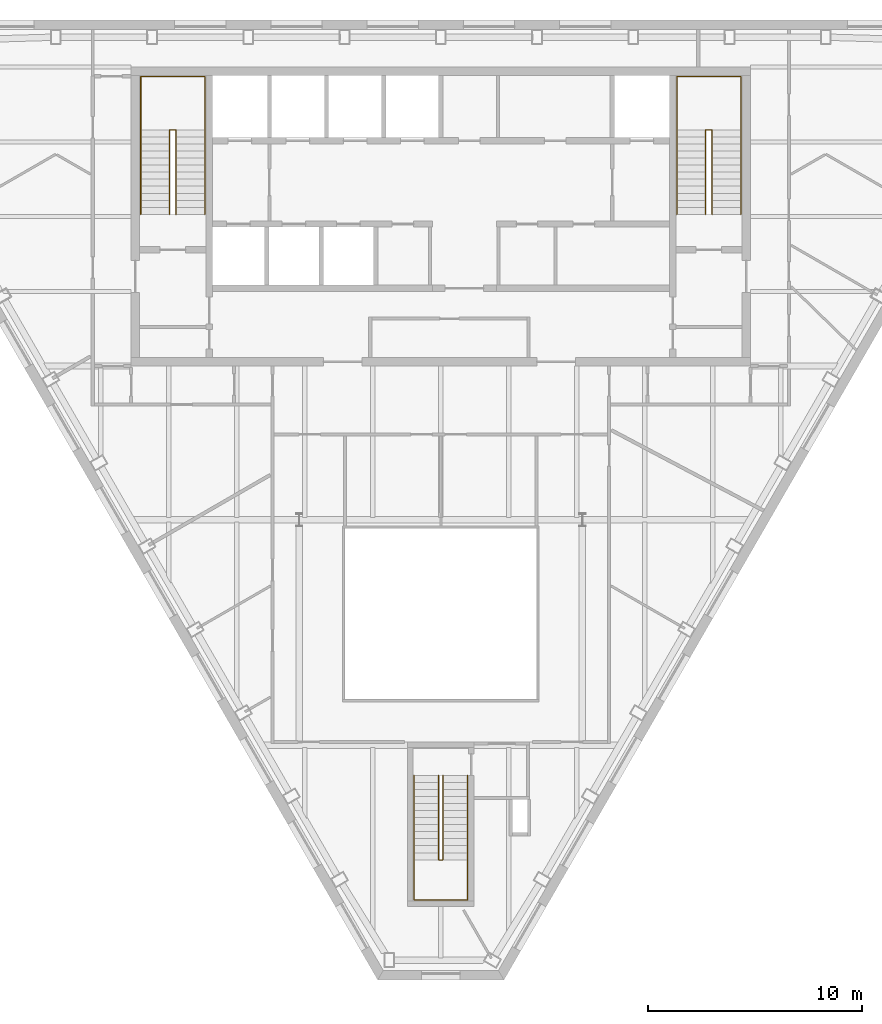
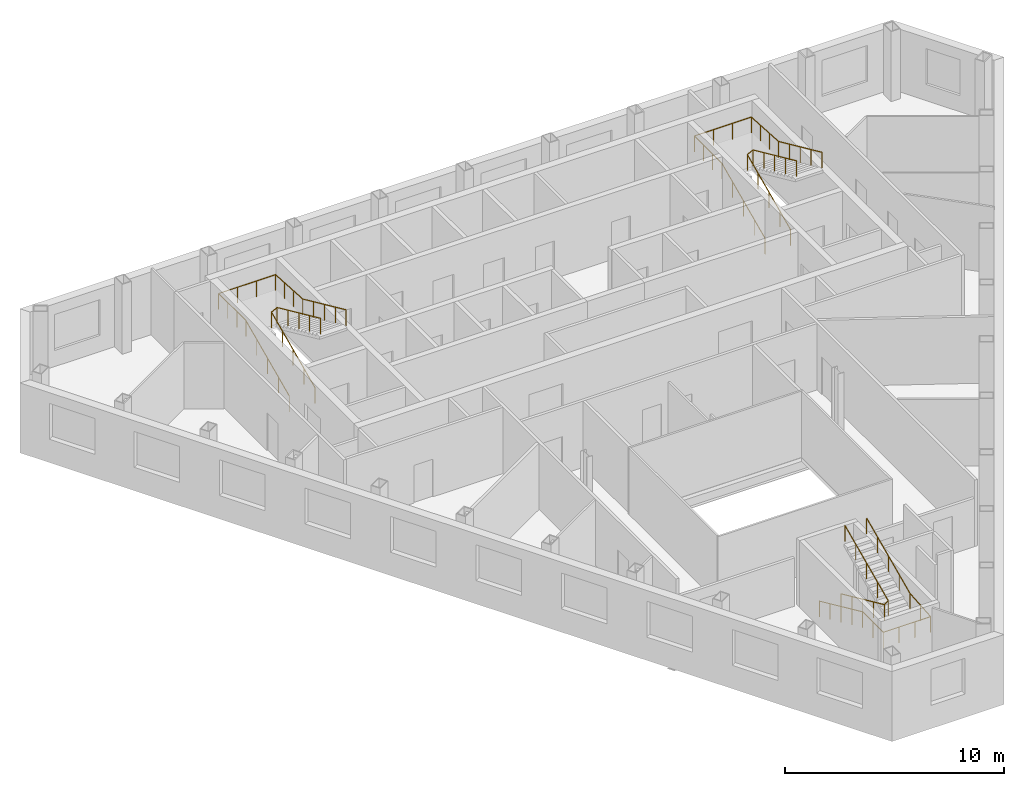
# One storey, part 10 of 10: 6 railings.
"""IFC4 building model written with IfcOpenShell, lengths in metres."""

import ifcopenshell
import ifcopenshell.guid

model = None  # the IFC model being written
_history = None  # IfcOwnerHistory: only IFC2X3 demands one
_inside = {}  # id of a spatial element -> (the spatial element, [elements in it])
_under = {}  # id of a project, library or spatial element -> (it, [spatial elements below it])
_declared = {}  # id of a project -> (the project, [libraries it declares])
_typed = {}  # id of a type object -> (the type object, [elements of that type])
_made_of = {}  # id of a material, layer set ... -> (it, [elements and type objects made of it])


def new_model(schema):
    """Start an empty IFC model of exactly this schema.

    Asked for "IFC4X3", IfcOpenShell would pick the latest addendum, in which some entities
    have other attributes; the version numbers below select the first issue.
    IFC2X3 requires an IfcOwnerHistory on every rooted entity: one is made here for all.
    """
    global model, _history
    if schema == "IFC4X3":
        model = ifcopenshell.file(schema_version=(4, 3, 0, 0))
    else:
        model = ifcopenshell.file(schema=schema)
    _inside.clear()
    _under.clear()
    _declared.clear()
    _typed.clear()
    _made_of.clear()
    _history = None
    if model.schema == "IFC2X3":
        org = make("IfcOrganization", Name="unknown")
        user = make(
            "IfcPersonAndOrganization",
            ThePerson=make("IfcPerson", FamilyName="unknown"),
            TheOrganization=org,
        )
        app = make(
            "IfcApplication",
            ApplicationDeveloper=org,
            Version="unknown",
            ApplicationFullName="unknown",
            ApplicationIdentifier="unknown",
        )
        _history = make(
            "IfcOwnerHistory",
            OwningUser=user,
            OwningApplication=app,
            ChangeAction="ADDED",
            CreationDate=0,
        )
    return model


def make(cls, **values):
    """One entity of the class cls with the attributes given. An attribute that is None is left unset."""
    return model.create_entity(
        cls, **{name: value for name, value in values.items() if value is not None}
    )


def rooted(cls, **values):
    """An entity with a GlobalId (a new one), such as an element, a storey or a relation."""
    return make(cls, GlobalId=ifcopenshell.guid.new(), OwnerHistory=_history, **values)


def si_unit(unit_type, name, prefix=None):
    """IfcSIUnit, for example si_unit("LENGTHUNIT", "METRE", prefix="MILLI")."""
    return make("IfcSIUnit", UnitType=unit_type, Prefix=prefix, Name=name)


def assignment(units):
    """IfcUnitAssignment: the units of a project."""
    return None if units is None else make("IfcUnitAssignment", Units=units)


def point(xyz):
    """IfcCartesianPoint."""
    return None if xyz is None else make("IfcCartesianPoint", Coordinates=xyz)


def direction(xyz):
    """IfcDirection."""
    return None if xyz is None else make("IfcDirection", DirectionRatios=xyz)


def frame(location, z_axis=None, x_axis=None):
    """IfcAxis2Placement3D, a coordinate frame: its origin and axes. An axis left out is left unset."""
    return make(
        "IfcAxis2Placement3D",
        Location=point(location),
        Axis=direction(z_axis),
        RefDirection=direction(x_axis),
    )


def frame_2d(location, x_axis=None):
    """IfcAxis2Placement2D, a coordinate frame in the plane: its origin and x axis."""
    return make(
        "IfcAxis2Placement2D", Location=point(location), RefDirection=direction(x_axis)
    )


def origin():
    """The frame at (0, 0, 0) with its axes left unset."""
    return frame((0.0, 0.0, 0.0))


def origin_2d():
    """The frame at (0, 0) in the plane with its x axis left unset."""
    return frame_2d((0.0, 0.0))


def place(relative_to, where):
    """IfcLocalPlacement: puts the frame where relative to a parent placement (None: the world)."""
    return make(
        "IfcLocalPlacement", PlacementRelTo=relative_to, RelativePlacement=where
    )


def context(
    kind, dimensions, precision=None, world=None, true_north=None, identifier=None
):
    """IfcGeometricRepresentationContext, for example the 3D "Model" context."""
    return make(
        "IfcGeometricRepresentationContext",
        ContextIdentifier=identifier,
        ContextType=kind,
        CoordinateSpaceDimension=dimensions,
        Precision=precision,
        WorldCoordinateSystem=world,
        TrueNorth=true_north,
    )


def subcontext(parent, identifier, kind, view, scale=None):
    """IfcGeometricRepresentationSubContext, for example "Body" below "Model"."""
    return make(
        "IfcGeometricRepresentationSubContext",
        ContextIdentifier=identifier,
        ContextType=kind,
        ParentContext=parent,
        TargetScale=scale,
        TargetView=view,
    )


def project(units=None, contexts=None):
    """IfcProject with its units and contexts."""
    return rooted(
        "IfcProject",
        Name="project",
        RepresentationContexts=contexts,
        UnitsInContext=assignment(units),
    )


def spatial(cls, under=None, at=None, **own):
    """A site, building, storey or space (cls), placed at a placement, below another one or the project."""
    s = rooted(cls, ObjectPlacement=at, **own)
    if under is not None:
        _under.setdefault(under.id(), (under, []))[1].append(s)
    return s


def profile(cls, at=None, kind="AREA", **sizes):
    """A parametric profile (cls). Its sizes go by their IFC names, for example OverallWidth=200.0."""
    return make(cls, ProfileType=kind, Position=at, **sizes)


def circle(**sizes):
    """IfcCircleProfileDef."""
    return profile("IfcCircleProfileDef", **sizes)


def extrude(swept, where, along, depth):
    """IfcExtrudedAreaSolid: the profile swept, set in the frame where, extruded along a direction by depth."""
    return make(
        "IfcExtrudedAreaSolid",
        SweptArea=swept,
        Position=where,
        ExtrudedDirection=direction(along),
        Depth=depth,
    )


def shape(context_of_items, identifier, shape_type, items):
    """IfcShapeRepresentation: the items that make up one representation, for example the "Body"."""
    return make(
        "IfcShapeRepresentation",
        ContextOfItems=context_of_items,
        RepresentationIdentifier=identifier,
        RepresentationType=shape_type,
        Items=items,
    )


def material(Name=None, Category=None):
    """IfcMaterial."""
    return make("IfcMaterial", Name=Name, Category=Category)


def made_of(thing, what):
    """Note that an element or type object is made of a material, layer set ...; save() writes the relation."""
    if what is not None:
        _made_of.setdefault(what.id(), (what, []))[1].append(thing)
    return thing


def type_object(cls, material=None, **own):
    """A type object (cls), such as IfcWallType, which elements share."""
    return made_of(rooted(cls, **own), material)


def element(
    cls,
    number,
    at=None,
    inside=None,
    cuts=None,
    type_object=None,
    material=None,
    context=None,
    identifier="Body",
    shape_type=None,
    held_by="IfcProductDefinitionShape",
    body=None,
    shapes=None,
    **own,
):
    """One element of the class cls, such as IfcWall. Its Tag is "e" and its number.

    at: its placement. inside: the storey or other place that contains it. cuts: it is an
    opening in that element (IfcRelVoidsElement). A single representation is given by context,
    identifier, shape_type and body (its items); several are given by shapes. held_by: the class
    of the entity that holds the representations. save() writes the other relations.
    """
    e = rooted(cls, Tag="e%d" % number, ObjectPlacement=at, **own)
    if body is not None:
        shapes = [shape(context, identifier, shape_type, body)]
    if shapes is not None:
        e.Representation = make(held_by, Representations=shapes)
    if inside is not None:
        _inside.setdefault(inside.id(), (inside, []))[1].append(e)
    if cuts is not None:
        rooted(
            "IfcRelVoidsElement", RelatingBuildingElement=cuts, RelatedOpeningElement=e
        )
    if type_object is not None:
        _typed.setdefault(type_object.id(), (type_object, []))[1].append(e)
    return made_of(e, material)


def aggregate(whole, parts):
    """IfcRelAggregates: a whole, such as a stair, and the parts it consists of."""
    return rooted("IfcRelAggregates", RelatingObject=whole, RelatedObjects=parts)


def save(model, path):
    """Write the relations noted so far, then the file.

    IfcRelAggregates (storeys below a building ...), IfcRelContainedInSpatialStructure (elements
    in a storey), IfcRelDefinesByType, IfcRelAssociatesMaterial and IfcRelDeclares: one each for
    every whole, place, type object, material and project.
    """
    for whole, parts in _under.values():
        aggregate(whole, parts)
    for where, things in _inside.values():
        rooted(
            "IfcRelContainedInSpatialStructure",
            RelatedElements=things,
            RelatingStructure=where,
        )
    for kind, things in _typed.values():
        rooted("IfcRelDefinesByType", RelatedObjects=things, RelatingType=kind)
    for what, things in _made_of.values():
        rooted("IfcRelAssociatesMaterial", RelatedObjects=things, RelatingMaterial=what)
    for by, libraries in _declared.values():
        rooted("IfcRelDeclares", RelatingContext=by, RelatedDefinitions=libraries)
    model.write(path)


model = new_model("IFC4")

# Units and contexts
model_context = context("Model", 3, precision=1e-05, world=origin(), true_north=direction((0.0, 1.0)))
body_context = subcontext(model_context, "Body", "Model", "MODEL_VIEW")
ifc_project = project(units=[si_unit("LENGTHUNIT", "METRE"), si_unit("AREAUNIT", "SQUARE_METRE"), si_unit("VOLUMEUNIT", "CUBIC_METRE"), si_unit("PLANEANGLEUNIT", "RADIAN"), si_unit("MASSUNIT", "GRAM", prefix="KILO")], contexts=[model_context])

# Site, building, storey
site_placement = place(None, origin())
site = spatial("IfcSite", under=ifc_project, at=site_placement, CompositionType="ELEMENT")
building_placement = place(site_placement, origin())
building = spatial("IfcBuilding", under=site, at=building_placement, Name="Njiva Tower", CompositionType="ELEMENT")
storey_placement = place(building_placement, frame((0.0, 0.0, 261.0)))
storey = spatial("IfcBuildingStorey", under=building, at=storey_placement, Name="L59", CompositionType="ELEMENT", Elevation=261.0)

# Railings
ifc_material = material(Name="Stainless steel", Category="steel")
railing_type = type_object("IfcRailingType", Name="RL1 Stair handrail 900", PredefinedType="HANDRAIL", material=ifc_material)
railing_1_placement = place(storey_placement, frame((-14.05, 11.1, 0.15)))
element("IfcRailing", 1, at=railing_1_placement, inside=storey, type_object=railing_type, Name="Stair A handrail", PredefinedType="HANDRAIL", context=body_context, shape_type="SweptSolid", body=[
    extrude(circle(Radius=0.024, at=origin_2d()), frame((0.0, 0.0, 0.876), z_axis=(0.0, 0.910366477463, 0.413802944301), x_axis=(-1.0, 0.0, 0.0)), (0.0, 0.0, 1.0), 4.3499),
    extrude(circle(Radius=0.024, at=origin_2d()), frame((0.0, 3.96, 2.676), z_axis=(0.0, 1.0, 0.0), x_axis=(-1.0, 0.0, 0.0)), (0.0, 0.0, 1.0), 2.49),
    extrude(circle(Radius=0.024, at=origin_2d()), frame((0.0, 6.45, 2.676), z_axis=(1.0, 0.0, 0.0), x_axis=(0.0, 1.0, 0.0)), (0.0, 0.0, 1.0), 3.0),
    extrude(circle(Radius=0.024, at=origin_2d()), frame((3.0, 6.45, 2.676), z_axis=(0.0, -0.998190436793, 0.060131954024), x_axis=(1.0, 0.0, 0.0)), (0.0, 0.0, 1.0), 2.4945),
    extrude(circle(Radius=0.024, at=origin_2d()), frame((3.0, 3.96, 2.826), z_axis=(0.0, -0.910366477463, 0.413802944301), x_axis=(1.0, 0.0, 0.0)), (0.0, 0.0, 1.0), 4.3499),
    extrude(circle(Radius=0.021, at=origin_2d()), origin(), (0.0, 0.0, 1.0), 0.852),
    extrude(circle(Radius=0.021, at=origin_2d()), frame((0.0, 0.99, 0.45)), (0.0, 0.0, 1.0), 0.852),
    extrude(circle(Radius=0.021, at=origin_2d()), frame((0.0, 1.98, 0.9)), (0.0, 0.0, 1.0), 0.852),
    extrude(circle(Radius=0.021, at=origin_2d()), frame((0.0, 2.97, 1.35)), (0.0, 0.0, 1.0), 0.852),
    extrude(circle(Radius=0.021, at=origin_2d()), frame((0.0, 3.96, 1.8)), (0.0, 0.0, 1.0), 0.852),
    extrude(circle(Radius=0.021, at=origin_2d()), frame((0.0, 4.79, 1.8)), (0.0, 0.0, 1.0), 0.852),
    extrude(circle(Radius=0.021, at=origin_2d()), frame((0.0, 5.62, 1.8)), (0.0, 0.0, 1.0), 0.852),
    extrude(circle(Radius=0.021, at=origin_2d()), frame((0.0, 6.45, 1.8)), (0.0, 0.0, 1.0), 0.852),
    extrude(circle(Radius=0.021, at=origin_2d()), frame((1.0, 6.45, 1.8)), (0.0, 0.0, 1.0), 0.852),
    extrude(circle(Radius=0.021, at=origin_2d()), frame((2.0, 6.45, 1.8)), (0.0, 0.0, 1.0), 0.852),
    extrude(circle(Radius=0.021, at=origin_2d()), frame((3.0, 6.45, 1.8)), (0.0, 0.0, 1.0), 0.852),
    extrude(circle(Radius=0.021, at=origin_2d()), frame((3.0, 5.62, 1.85)), (0.0, 0.0, 1.0), 0.852),
    extrude(circle(Radius=0.021, at=origin_2d()), frame((3.0, 4.79, 1.9)), (0.0, 0.0, 1.0), 0.852),
    extrude(circle(Radius=0.021, at=origin_2d()), frame((3.0, 3.96, 1.95)), (0.0, 0.0, 1.0), 0.852),
    extrude(circle(Radius=0.021, at=origin_2d()), frame((3.0, 2.97, 2.4)), (0.0, 0.0, 1.0), 0.852),
    extrude(circle(Radius=0.021, at=origin_2d()), frame((3.0, 1.98, 2.85)), (0.0, 0.0, 1.0), 0.852),
    extrude(circle(Radius=0.021, at=origin_2d()), frame((3.0, 0.99, 3.3)), (0.0, 0.0, 1.0), 0.852),
    extrude(circle(Radius=0.021, at=origin_2d()), frame((3.0, 0.0, 3.75)), (0.0, 0.0, 1.0), 0.852),
])
railing_2_placement = place(storey_placement, frame((-12.7, 11.1, 0.15)))
element("IfcRailing", 2, at=railing_2_placement, inside=storey, type_object=railing_type, Name="Stair A handrail", PredefinedType="HANDRAIL", context=body_context, shape_type="SweptSolid", body=[
    extrude(circle(Radius=0.024, at=origin_2d()), frame((0.0, 0.0, 0.876), z_axis=(0.0, 0.910366477463, 0.413802944301), x_axis=(-1.0, 0.0, 0.0)), (0.0, 0.0, 1.0), 4.3499),
    extrude(circle(Radius=0.024, at=origin_2d()), frame((0.0, 3.96, 2.676), z_axis=(0.894427191, 0.0, 0.4472135955), x_axis=(0.0, 1.0, 0.0)), (0.0, 0.0, 1.0), 0.3354),
    extrude(circle(Radius=0.024, at=origin_2d()), frame((0.3, 3.96, 2.826), z_axis=(0.0, -0.910366477463, 0.413802944301), x_axis=(1.0, 0.0, 0.0)), (0.0, 0.0, 1.0), 4.3499),
    extrude(circle(Radius=0.021, at=origin_2d()), origin(), (0.0, 0.0, 1.0), 0.852),
    extrude(circle(Radius=0.021, at=origin_2d()), frame((0.0, 0.99, 0.45)), (0.0, 0.0, 1.0), 0.852),
    extrude(circle(Radius=0.021, at=origin_2d()), frame((0.0, 1.98, 0.9)), (0.0, 0.0, 1.0), 0.852),
    extrude(circle(Radius=0.021, at=origin_2d()), frame((0.0, 2.97, 1.35)), (0.0, 0.0, 1.0), 0.852),
    extrude(circle(Radius=0.021, at=origin_2d()), frame((0.0, 3.96, 1.8)), (0.0, 0.0, 1.0), 0.852),
    extrude(circle(Radius=0.021, at=origin_2d()), frame((0.3, 3.96, 1.95)), (0.0, 0.0, 1.0), 0.852),
    extrude(circle(Radius=0.021, at=origin_2d()), frame((0.3, 2.97, 2.4)), (0.0, 0.0, 1.0), 0.852),
    extrude(circle(Radius=0.021, at=origin_2d()), frame((0.3, 1.98, 2.85)), (0.0, 0.0, 1.0), 0.852),
    extrude(circle(Radius=0.021, at=origin_2d()), frame((0.3, 0.99, 3.3)), (0.0, 0.0, 1.0), 0.852),
    extrude(circle(Radius=0.021, at=origin_2d()), frame((0.3, 0.0, 3.75)), (0.0, 0.0, 1.0), 0.852),
])
railing_3_placement = place(storey_placement, frame((11.05, 11.1, 0.15)))
element("IfcRailing", 3, at=railing_3_placement, inside=storey, type_object=railing_type, Name="Stair B handrail", PredefinedType="HANDRAIL", context=body_context, shape_type="SweptSolid", body=[
    extrude(circle(Radius=0.024, at=origin_2d()), frame((0.0, 0.0, 0.876), z_axis=(0.0, 0.910366477463, 0.413802944301), x_axis=(-1.0, 0.0, 0.0)), (0.0, 0.0, 1.0), 4.3499),
    extrude(circle(Radius=0.024, at=origin_2d()), frame((0.0, 3.96, 2.676), z_axis=(0.0, 1.0, 0.0), x_axis=(-1.0, 0.0, 0.0)), (0.0, 0.0, 1.0), 2.49),
    extrude(circle(Radius=0.024, at=origin_2d()), frame((0.0, 6.45, 2.676), z_axis=(1.0, 0.0, 0.0), x_axis=(0.0, 1.0, 0.0)), (0.0, 0.0, 1.0), 3.0),
    extrude(circle(Radius=0.024, at=origin_2d()), frame((3.0, 6.45, 2.676), z_axis=(0.0, -0.998190436793, 0.060131954024), x_axis=(1.0, 0.0, 0.0)), (0.0, 0.0, 1.0), 2.4945),
    extrude(circle(Radius=0.024, at=origin_2d()), frame((3.0, 3.96, 2.826), z_axis=(0.0, -0.910366477463, 0.413802944301), x_axis=(1.0, 0.0, 0.0)), (0.0, 0.0, 1.0), 4.3499),
    extrude(circle(Radius=0.021, at=origin_2d()), origin(), (0.0, 0.0, 1.0), 0.852),
    extrude(circle(Radius=0.021, at=origin_2d()), frame((0.0, 0.99, 0.45)), (0.0, 0.0, 1.0), 0.852),
    extrude(circle(Radius=0.021, at=origin_2d()), frame((0.0, 1.98, 0.9)), (0.0, 0.0, 1.0), 0.852),
    extrude(circle(Radius=0.021, at=origin_2d()), frame((0.0, 2.97, 1.35)), (0.0, 0.0, 1.0), 0.852),
    extrude(circle(Radius=0.021, at=origin_2d()), frame((0.0, 3.96, 1.8)), (0.0, 0.0, 1.0), 0.852),
    extrude(circle(Radius=0.021, at=origin_2d()), frame((0.0, 4.79, 1.8)), (0.0, 0.0, 1.0), 0.852),
    extrude(circle(Radius=0.021, at=origin_2d()), frame((0.0, 5.62, 1.8)), (0.0, 0.0, 1.0), 0.852),
    extrude(circle(Radius=0.021, at=origin_2d()), frame((0.0, 6.45, 1.8)), (0.0, 0.0, 1.0), 0.852),
    extrude(circle(Radius=0.021, at=origin_2d()), frame((1.0, 6.45, 1.8)), (0.0, 0.0, 1.0), 0.852),
    extrude(circle(Radius=0.021, at=origin_2d()), frame((2.0, 6.45, 1.8)), (0.0, 0.0, 1.0), 0.852),
    extrude(circle(Radius=0.021, at=origin_2d()), frame((3.0, 6.45, 1.8)), (0.0, 0.0, 1.0), 0.852),
    extrude(circle(Radius=0.021, at=origin_2d()), frame((3.0, 5.62, 1.85)), (0.0, 0.0, 1.0), 0.852),
    extrude(circle(Radius=0.021, at=origin_2d()), frame((3.0, 4.79, 1.9)), (0.0, 0.0, 1.0), 0.852),
    extrude(circle(Radius=0.021, at=origin_2d()), frame((3.0, 3.96, 1.95)), (0.0, 0.0, 1.0), 0.852),
    extrude(circle(Radius=0.021, at=origin_2d()), frame((3.0, 2.97, 2.4)), (0.0, 0.0, 1.0), 0.852),
    extrude(circle(Radius=0.021, at=origin_2d()), frame((3.0, 1.98, 2.85)), (0.0, 0.0, 1.0), 0.852),
    extrude(circle(Radius=0.021, at=origin_2d()), frame((3.0, 0.99, 3.3)), (0.0, 0.0, 1.0), 0.852),
    extrude(circle(Radius=0.021, at=origin_2d()), frame((3.0, 0.0, 3.75)), (0.0, 0.0, 1.0), 0.852),
])
railing_4_placement = place(storey_placement, frame((12.4, 11.1, 0.15)))
element("IfcRailing", 4, at=railing_4_placement, inside=storey, type_object=railing_type, Name="Stair B handrail", PredefinedType="HANDRAIL", context=body_context, shape_type="SweptSolid", body=[
    extrude(circle(Radius=0.024, at=origin_2d()), frame((0.0, 0.0, 0.876), z_axis=(0.0, 0.910366477463, 0.413802944301), x_axis=(-1.0, 0.0, 0.0)), (0.0, 0.0, 1.0), 4.3499),
    extrude(circle(Radius=0.024, at=origin_2d()), frame((0.0, 3.96, 2.676), z_axis=(0.894427191, 0.0, 0.4472135955), x_axis=(0.0, 1.0, 0.0)), (0.0, 0.0, 1.0), 0.3354),
    extrude(circle(Radius=0.024, at=origin_2d()), frame((0.3, 3.96, 2.826), z_axis=(0.0, -0.910366477463, 0.413802944301), x_axis=(1.0, 0.0, 0.0)), (0.0, 0.0, 1.0), 4.3499),
    extrude(circle(Radius=0.021, at=origin_2d()), origin(), (0.0, 0.0, 1.0), 0.852),
    extrude(circle(Radius=0.021, at=origin_2d()), frame((0.0, 0.99, 0.45)), (0.0, 0.0, 1.0), 0.852),
    extrude(circle(Radius=0.021, at=origin_2d()), frame((0.0, 1.98, 0.9)), (0.0, 0.0, 1.0), 0.852),
    extrude(circle(Radius=0.021, at=origin_2d()), frame((0.0, 2.97, 1.35)), (0.0, 0.0, 1.0), 0.852),
    extrude(circle(Radius=0.021, at=origin_2d()), frame((0.0, 3.96, 1.8)), (0.0, 0.0, 1.0), 0.852),
    extrude(circle(Radius=0.021, at=origin_2d()), frame((0.3, 3.96, 1.95)), (0.0, 0.0, 1.0), 0.852),
    extrude(circle(Radius=0.021, at=origin_2d()), frame((0.3, 2.97, 2.4)), (0.0, 0.0, 1.0), 0.852),
    extrude(circle(Radius=0.021, at=origin_2d()), frame((0.3, 1.98, 2.85)), (0.0, 0.0, 1.0), 0.852),
    extrude(circle(Radius=0.021, at=origin_2d()), frame((0.3, 0.99, 3.3)), (0.0, 0.0, 1.0), 0.852),
    extrude(circle(Radius=0.021, at=origin_2d()), frame((0.3, 0.0, 3.75)), (0.0, 0.0, 1.0), 0.852),
])
railing_5_placement = place(storey_placement, frame((-1.25, -15.16, 0.15)))
element("IfcRailing", 5, at=railing_5_placement, inside=storey, type_object=railing_type, Name="Stair C handrail", PredefinedType="HANDRAIL", context=body_context, shape_type="SweptSolid", body=[
    extrude(circle(Radius=0.024, at=origin_2d()), frame((0.0, 0.0, 0.876), z_axis=(0.0, -0.910366477463, 0.413802944301), x_axis=(1.0, 0.0, 0.0)), (0.0, 0.0, 1.0), 4.3499),
    extrude(circle(Radius=0.024, at=origin_2d()), frame((0.0, -3.96, 2.676), z_axis=(0.0, -1.0, 0.0), x_axis=(1.0, 0.0, 0.0)), (0.0, 0.0, 1.0), 1.88),
    extrude(circle(Radius=0.024, at=origin_2d()), frame((0.0, -5.84, 2.676), z_axis=(1.0, 0.0, 0.0), x_axis=(0.0, 1.0, 0.0)), (0.0, 0.0, 1.0), 2.5),
    extrude(circle(Radius=0.024, at=origin_2d()), frame((2.5, -5.84, 2.676), z_axis=(0.0, 0.996832115713, 0.079534477318), x_axis=(-1.0, 0.0, 0.0)), (0.0, 0.0, 1.0), 1.886),
    extrude(circle(Radius=0.024, at=origin_2d()), frame((2.5, -3.96, 2.826), z_axis=(0.0, 0.910366477463, 0.413802944301), x_axis=(-1.0, 0.0, 0.0)), (0.0, 0.0, 1.0), 4.3499),
    extrude(circle(Radius=0.021, at=origin_2d()), origin(), (0.0, 0.0, 1.0), 0.852),
    extrude(circle(Radius=0.021, at=origin_2d()), frame((0.0, -0.99, 0.45)), (0.0, 0.0, 1.0), 0.852),
    extrude(circle(Radius=0.021, at=origin_2d()), frame((0.0, -1.98, 0.9)), (0.0, 0.0, 1.0), 0.852),
    extrude(circle(Radius=0.021, at=origin_2d()), frame((0.0, -2.97, 1.35)), (0.0, 0.0, 1.0), 0.852),
    extrude(circle(Radius=0.021, at=origin_2d()), frame((0.0, -3.96, 1.8)), (0.0, 0.0, 1.0), 0.852),
    extrude(circle(Radius=0.021, at=origin_2d()), frame((0.0, -4.9, 1.8)), (0.0, 0.0, 1.0), 0.852),
    extrude(circle(Radius=0.021, at=origin_2d()), frame((0.0, -5.84, 1.8)), (0.0, 0.0, 1.0), 0.852),
    extrude(circle(Radius=0.021, at=origin_2d()), frame((0.8333, -5.84, 1.8)), (0.0, 0.0, 1.0), 0.852),
    extrude(circle(Radius=0.021, at=origin_2d()), frame((1.6667, -5.84, 1.8)), (0.0, 0.0, 1.0), 0.852),
    extrude(circle(Radius=0.021, at=origin_2d()), frame((2.5, -5.84, 1.8)), (0.0, 0.0, 1.0), 0.852),
    extrude(circle(Radius=0.021, at=origin_2d()), frame((2.5, -4.9, 1.875)), (0.0, 0.0, 1.0), 0.852),
    extrude(circle(Radius=0.021, at=origin_2d()), frame((2.5, -3.96, 1.95)), (0.0, 0.0, 1.0), 0.852),
    extrude(circle(Radius=0.021, at=origin_2d()), frame((2.5, -2.97, 2.4)), (0.0, 0.0, 1.0), 0.852),
    extrude(circle(Radius=0.021, at=origin_2d()), frame((2.5, -1.98, 2.85)), (0.0, 0.0, 1.0), 0.852),
    extrude(circle(Radius=0.021, at=origin_2d()), frame((2.5, -0.99, 3.3)), (0.0, 0.0, 1.0), 0.852),
    extrude(circle(Radius=0.021, at=origin_2d()), frame((2.5, 0.0, 3.75)), (0.0, 0.0, 1.0), 0.852),
])
railing_6_placement = place(storey_placement, frame((-0.1, -15.16, 0.15)))
element("IfcRailing", 6, at=railing_6_placement, inside=storey, type_object=railing_type, Name="Stair C handrail", PredefinedType="HANDRAIL", context=body_context, shape_type="SweptSolid", body=[
    extrude(circle(Radius=0.024, at=origin_2d()), frame((0.0, 0.0, 0.876), z_axis=(0.0, -0.910366477463, 0.413802944301), x_axis=(1.0, 0.0, 0.0)), (0.0, 0.0, 1.0), 4.3499),
    extrude(circle(Radius=0.024, at=origin_2d()), frame((0.0, -3.96, 2.676), z_axis=(0.8, 0.0, 0.6), x_axis=(0.0, 1.0, 0.0)), (0.0, 0.0, 1.0), 0.25),
    extrude(circle(Radius=0.024, at=origin_2d()), frame((0.2, -3.96, 2.826), z_axis=(0.0, 0.910366477463, 0.413802944301), x_axis=(-1.0, 0.0, 0.0)), (0.0, 0.0, 1.0), 4.3499),
    extrude(circle(Radius=0.021, at=origin_2d()), origin(), (0.0, 0.0, 1.0), 0.852),
    extrude(circle(Radius=0.021, at=origin_2d()), frame((0.0, -0.99, 0.45)), (0.0, 0.0, 1.0), 0.852),
    extrude(circle(Radius=0.021, at=origin_2d()), frame((0.0, -1.98, 0.9)), (0.0, 0.0, 1.0), 0.852),
    extrude(circle(Radius=0.021, at=origin_2d()), frame((0.0, -2.97, 1.35)), (0.0, 0.0, 1.0), 0.852),
    extrude(circle(Radius=0.021, at=origin_2d()), frame((0.0, -3.96, 1.8)), (0.0, 0.0, 1.0), 0.852),
    extrude(circle(Radius=0.021, at=origin_2d()), frame((0.2, -3.96, 1.95)), (0.0, 0.0, 1.0), 0.852),
    extrude(circle(Radius=0.021, at=origin_2d()), frame((0.2, -2.97, 2.4)), (0.0, 0.0, 1.0), 0.852),
    extrude(circle(Radius=0.021, at=origin_2d()), frame((0.2, -1.98, 2.85)), (0.0, 0.0, 1.0), 0.852),
    extrude(circle(Radius=0.021, at=origin_2d()), frame((0.2, -0.99, 3.3)), (0.0, 0.0, 1.0), 0.852),
    extrude(circle(Radius=0.021, at=origin_2d()), frame((0.2, 0.0, 3.75)), (0.0, 0.0, 1.0), 0.852),
])

save(model, "model.ifc")
